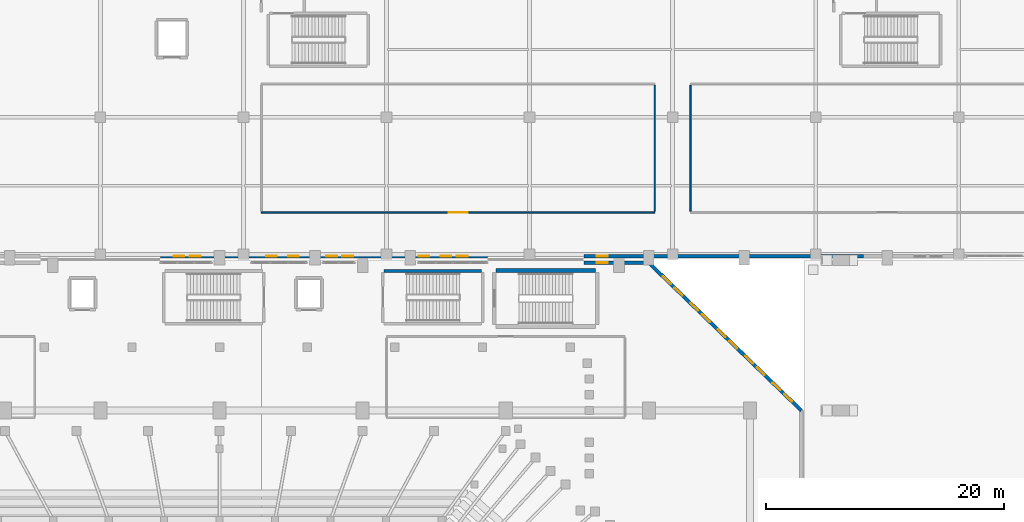
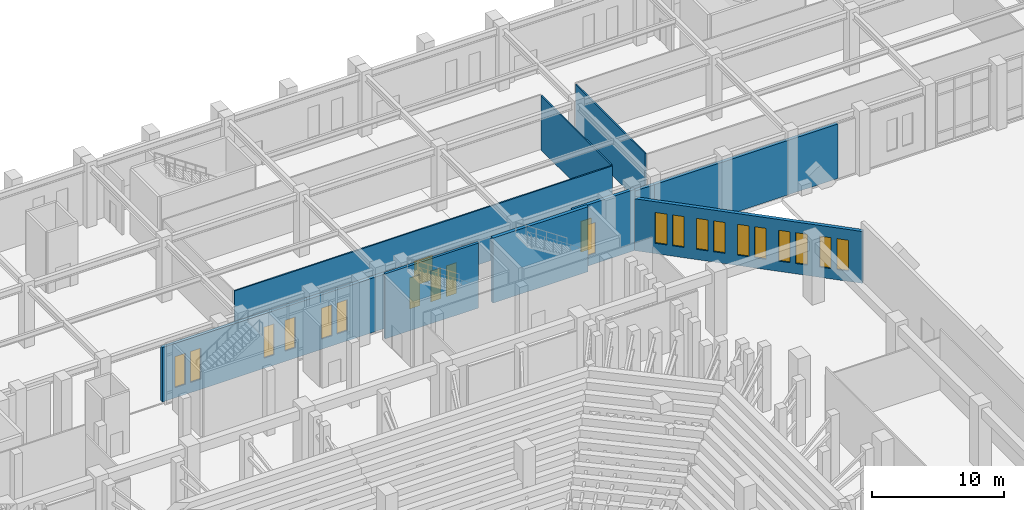
# One storey, part 114 of 143: 21 windows, 10 walls, 1 door, 22 openings.
"""IFC4 building model written with IfcOpenShell, lengths in metres."""

from ifc_helpers import new_model, si_unit, derived_unit, direction, frame, frame_2d, origin, place, context, subcontext, project, spatial, rectangle, extrude, material, layer, layer_set, type_object, element, fill, save


model = new_model("IFC4")

# Units and contexts
model_context = context("Model", 3, precision=1e-05, world=origin(), true_north=direction((0.0, 1.0)))
body_context = subcontext(model_context, "Body", "Model", "MODEL_VIEW")
ifc_project = project(units=[si_unit("LENGTHUNIT", "METRE"), si_unit("AREAUNIT", "SQUARE_METRE"), si_unit("VOLUMEUNIT", "CUBIC_METRE"), si_unit("PLANEANGLEUNIT", "RADIAN"), si_unit("MASSUNIT", "GRAM", prefix="KILO"), derived_unit("THERMALTRANSMITTANCEUNIT", [(si_unit("MASSUNIT", "GRAM", prefix="KILO"), 1), (si_unit("TIMEUNIT", "SECOND"), -3), (si_unit("THERMODYNAMICTEMPERATUREUNIT", "KELVIN"), -1)])], contexts=[model_context])

# Site, building, storey
site_placement = place(None, origin())
site = spatial("IfcSite", under=ifc_project, at=site_placement, CompositionType="ELEMENT")
building_placement = place(site_placement, origin())
building = spatial("IfcBuilding", under=site, at=building_placement, Name="Valcora Ridge Arena", CompositionType="ELEMENT")
storey_placement = place(building_placement, origin())
storey = spatial("IfcBuildingStorey", under=building, at=storey_placement, Name="L00", CompositionType="ELEMENT", Elevation=0.0)

# Wall, openings, windows
ifc_material_1 = material(Name="Bush-hammered Andean travertine on concrete backup C40/50", Category="masonry")
ifc_layer_1 = layer(ifc_material_1, 0.280029296875, Name="Bush-hammered Andean travertine on concrete backup C40/50")
ifc_layer_set_1 = layer_set([ifc_layer_1], Name="Bush-hammered Andean travertine on concrete backup C40/50")
wall_type_1 = type_object("IfcWallType", Name="TY-WALL-EW-TRV-28-50", PredefinedType="STANDARD", material=ifc_layer_set_1)
wall_1_placement = place(storey_placement, frame((53.050048828125, 108.550048828125, 0.0), z_axis=(0.0, 0.0, 1.0), x_axis=(1.0, 0.0, 0.0)))
wall_1 = element("IfcWall", 1, at=wall_1_placement, inside=storey, type_object=wall_type_1, Name="EW-TRV-28-50 WAL-EW-0130", PredefinedType="STANDARD", context=body_context, shape_type="SweptSolid", body=[
    extrude(rectangle(XDim=27.39990234375, YDim=0.280029296875, at=frame_2d((13.699951171875, 0.0))), origin(), (0.0, 0.0, 1.0), 5.028076171875),
])
opening_1_placement = place(wall_1_placement, frame((1.10009765625, 0.0, 0.949951171875)))
opening_1 = element("IfcOpeningElement", 2, at=opening_1_placement, cuts=wall_1, Name="Opening W-GLAN-90X285", PredefinedType="OPENING", context=body_context, shape_type="SweptSolid", body=[
    extrude(rectangle(XDim=0.89990234375, YDim=2.85009765625, at=frame_2d((0.449951171875, 1.425048828125))), frame((0.0, 0.14990234375, 0.0), z_axis=(0.0, -1.0, 0.0), x_axis=(1.0, 0.0, 0.0)), (0.0, 0.0, 1.0), 0.300048828125),
])
opening_2_placement = place(wall_1_placement, frame((2.449951171875, 0.0, 0.949951171875)))
opening_2 = element("IfcOpeningElement", 3, at=opening_2_placement, cuts=wall_1, Name="Opening W-GLAN-90X285", PredefinedType="OPENING", context=body_context, shape_type="SweptSolid", body=[
    extrude(rectangle(XDim=0.89990234375, YDim=2.85009765625, at=frame_2d((0.449951171875, 1.425048828125))), frame((0.0, 0.14990234375, 0.0), z_axis=(0.0, -1.0, 0.0), x_axis=(1.0, 0.0, 0.0)), (0.0, 0.0, 1.0), 0.300048828125),
])
opening_3_placement = place(wall_1_placement, frame((8.85009765625, 0.0, 0.949951171875)))
opening_3 = element("IfcOpeningElement", 4, at=opening_3_placement, cuts=wall_1, Name="Opening W-GLAN-90X285", PredefinedType="OPENING", context=body_context, shape_type="SweptSolid", body=[
    extrude(rectangle(XDim=0.89990234375, YDim=2.85009765625, at=frame_2d((0.449951171875, 1.425048828125))), frame((0.0, 0.14990234375, 0.0), z_axis=(0.0, -1.0, 0.0), x_axis=(1.0, 0.0, 0.0)), (0.0, 0.0, 1.0), 0.300048828125),
])
opening_4_placement = place(wall_1_placement, frame((10.699951171875, 0.0, 0.949951171875)))
opening_4 = element("IfcOpeningElement", 5, at=opening_4_placement, cuts=wall_1, Name="Opening W-GLAN-90X285", PredefinedType="OPENING", context=body_context, shape_type="SweptSolid", body=[
    extrude(rectangle(XDim=0.89990234375, YDim=2.85009765625, at=frame_2d((0.449951171875, 1.425048828125))), frame((0.0, 0.14990234375, 0.0), z_axis=(0.0, -1.0, 0.0), x_axis=(1.0, 0.0, 0.0)), (0.0, 0.0, 1.0), 0.300048828125),
])
opening_5_placement = place(wall_1_placement, frame((13.89990234375, 0.0, 0.949951171875)))
opening_5 = element("IfcOpeningElement", 6, at=opening_5_placement, cuts=wall_1, Name="Opening W-GLAN-90X285", PredefinedType="OPENING", context=body_context, shape_type="SweptSolid", body=[
    extrude(rectangle(XDim=0.89990234375, YDim=2.85009765625, at=frame_2d((0.449951171875, 1.425048828125))), frame((0.0, 0.14990234375, 0.0), z_axis=(0.0, -1.0, 0.0), x_axis=(1.0, 0.0, 0.0)), (0.0, 0.0, 1.0), 0.300048828125),
])
opening_6_placement = place(wall_1_placement, frame((15.25, 0.0, 0.949951171875)))
opening_6 = element("IfcOpeningElement", 7, at=opening_6_placement, cuts=wall_1, Name="Opening W-GLAN-90X285", PredefinedType="OPENING", context=body_context, shape_type="SweptSolid", body=[
    extrude(rectangle(XDim=0.89990234375, YDim=2.85009765625, at=frame_2d((0.449951171875, 1.425048828125))), frame((0.0, 0.14990234375, 0.0), z_axis=(0.0, -1.0, 0.0), x_axis=(1.0, 0.0, 0.0)), (0.0, 0.0, 1.0), 0.300048828125),
])
opening_7_placement = place(wall_1_placement, frame((21.64990234375, 0.0, 0.949951171875)))
opening_7 = element("IfcOpeningElement", 8, at=opening_7_placement, cuts=wall_1, Name="Opening W-GLAN-90X285", PredefinedType="OPENING", context=body_context, shape_type="SweptSolid", body=[
    extrude(rectangle(XDim=0.89990234375, YDim=2.85009765625, at=frame_2d((0.449951171875, 1.425048828125))), frame((0.0, 0.14990234375, 0.0), z_axis=(0.0, -1.0, 0.0), x_axis=(1.0, 0.0, 0.0)), (0.0, 0.0, 1.0), 0.300048828125),
])
opening_8_placement = place(wall_1_placement, frame((23.5, 0.0, 0.949951171875)))
opening_8 = element("IfcOpeningElement", 9, at=opening_8_placement, cuts=wall_1, Name="Opening W-GLAN-90X285", PredefinedType="OPENING", context=body_context, shape_type="SweptSolid", body=[
    extrude(rectangle(XDim=0.89990234375, YDim=2.85009765625, at=frame_2d((0.449951171875, 1.425048828125))), frame((0.0, 0.14990234375, 0.0), z_axis=(0.0, -1.0, 0.0), x_axis=(1.0, 0.0, 0.0)), (0.0, 0.0, 1.0), 0.300048828125),
])
opening_9_placement = place(wall_1_placement, frame((24.85009765625, 0.0, 0.949951171875)))
opening_9 = element("IfcOpeningElement", 10, at=opening_9_placement, cuts=wall_1, Name="Opening W-GLAN-90X285", PredefinedType="OPENING", context=body_context, shape_type="SweptSolid", body=[
    extrude(rectangle(XDim=0.89990234375, YDim=2.85009765625, at=frame_2d((0.449951171875, 1.425048828125))), frame((0.0, 0.14990234375, 0.0), z_axis=(0.0, -1.0, 0.0), x_axis=(1.0, 0.0, 0.0)), (0.0, 0.0, 1.0), 0.300048828125),
])
ifc_material_2 = material(Name="Low-iron solar-control double glazing SHGC 0.28", Category="glass")
window_type = type_object("IfcWindowType", Name="TY-WINDOW-W-GLAN-90X285", PartitioningType="DOUBLE_PANEL_VERTICAL", PredefinedType="WINDOW", material=ifc_material_2)
window_1_placement = place(opening_1_placement, origin())
window_1 = element("IfcWindow", 11, at=window_1_placement, inside=storey, type_object=window_type, Name="W-GLAN-90X285 WIN-EX-0386", OverallHeight=2.85009765625, OverallWidth=0.89990234375, PartitioningType="DOUBLE_PANEL_VERTICAL", PredefinedType="WINDOW", context=body_context, shape_type="SweptSolid", body=[
    extrude(rectangle(XDim=0.89990234375, YDim=2.85009765625, at=frame_2d((0.449951171875, 1.425048828125))), frame((0.0, 0.030029296875, 0.0), z_axis=(0.0, -1.0, 0.0), x_axis=(1.0, 0.0, 0.0)), (0.0, 0.0, 1.0), 0.06005859375),
])
fill(opening_1, window_1)
window_2_placement = place(opening_2_placement, origin())
window_2 = element("IfcWindow", 12, at=window_2_placement, inside=storey, type_object=window_type, Name="W-GLAN-90X285 WIN-EX-0387", OverallHeight=2.85009765625, OverallWidth=0.89990234375, PartitioningType="DOUBLE_PANEL_VERTICAL", PredefinedType="WINDOW", context=body_context, shape_type="SweptSolid", body=[
    extrude(rectangle(XDim=0.89990234375, YDim=2.85009765625, at=frame_2d((0.449951171875, 1.425048828125))), frame((0.0, 0.030029296875, 0.0), z_axis=(0.0, -1.0, 0.0), x_axis=(1.0, 0.0, 0.0)), (0.0, 0.0, 1.0), 0.06005859375),
])
fill(opening_2, window_2)
window_3_placement = place(opening_3_placement, origin())
window_3 = element("IfcWindow", 13, at=window_3_placement, inside=storey, type_object=window_type, Name="W-GLAN-90X285 WIN-EX-0388", OverallHeight=2.85009765625, OverallWidth=0.89990234375, PartitioningType="DOUBLE_PANEL_VERTICAL", PredefinedType="WINDOW", context=body_context, shape_type="SweptSolid", body=[
    extrude(rectangle(XDim=0.89990234375, YDim=2.85009765625, at=frame_2d((0.449951171875, 1.425048828125))), frame((0.0, 0.030029296875, 0.0), z_axis=(0.0, -1.0, 0.0), x_axis=(1.0, 0.0, 0.0)), (0.0, 0.0, 1.0), 0.06005859375),
])
fill(opening_3, window_3)
window_4_placement = place(opening_4_placement, origin())
window_4 = element("IfcWindow", 14, at=window_4_placement, inside=storey, type_object=window_type, Name="W-GLAN-90X285 WIN-EX-0389", OverallHeight=2.85009765625, OverallWidth=0.89990234375, PartitioningType="DOUBLE_PANEL_VERTICAL", PredefinedType="WINDOW", context=body_context, shape_type="SweptSolid", body=[
    extrude(rectangle(XDim=0.89990234375, YDim=2.85009765625, at=frame_2d((0.449951171875, 1.425048828125))), frame((0.0, 0.030029296875, 0.0), z_axis=(0.0, -1.0, 0.0), x_axis=(1.0, 0.0, 0.0)), (0.0, 0.0, 1.0), 0.06005859375),
])
fill(opening_4, window_4)
window_5_placement = place(opening_5_placement, origin())
window_5 = element("IfcWindow", 15, at=window_5_placement, inside=storey, type_object=window_type, Name="W-GLAN-90X285 WIN-EX-0390", OverallHeight=2.85009765625, OverallWidth=0.89990234375, PartitioningType="DOUBLE_PANEL_VERTICAL", PredefinedType="WINDOW", context=body_context, shape_type="SweptSolid", body=[
    extrude(rectangle(XDim=0.89990234375, YDim=2.85009765625, at=frame_2d((0.449951171875, 1.425048828125))), frame((0.0, 0.030029296875, 0.0), z_axis=(0.0, -1.0, 0.0), x_axis=(1.0, 0.0, 0.0)), (0.0, 0.0, 1.0), 0.06005859375),
])
fill(opening_5, window_5)
window_6_placement = place(opening_6_placement, origin())
window_6 = element("IfcWindow", 16, at=window_6_placement, inside=storey, type_object=window_type, Name="W-GLAN-90X285 WIN-EX-0391", OverallHeight=2.85009765625, OverallWidth=0.89990234375, PartitioningType="DOUBLE_PANEL_VERTICAL", PredefinedType="WINDOW", context=body_context, shape_type="SweptSolid", body=[
    extrude(rectangle(XDim=0.89990234375, YDim=2.85009765625, at=frame_2d((0.449951171875, 1.425048828125))), frame((0.0, 0.030029296875, 0.0), z_axis=(0.0, -1.0, 0.0), x_axis=(1.0, 0.0, 0.0)), (0.0, 0.0, 1.0), 0.06005859375),
])
fill(opening_6, window_6)
window_7_placement = place(opening_7_placement, origin())
window_7 = element("IfcWindow", 17, at=window_7_placement, inside=storey, type_object=window_type, Name="W-GLAN-90X285 WIN-EX-0392", OverallHeight=2.85009765625, OverallWidth=0.89990234375, PartitioningType="DOUBLE_PANEL_VERTICAL", PredefinedType="WINDOW", context=body_context, shape_type="SweptSolid", body=[
    extrude(rectangle(XDim=0.89990234375, YDim=2.85009765625, at=frame_2d((0.449951171875, 1.425048828125))), frame((0.0, 0.030029296875, 0.0), z_axis=(0.0, -1.0, 0.0), x_axis=(1.0, 0.0, 0.0)), (0.0, 0.0, 1.0), 0.06005859375),
])
fill(opening_7, window_7)
window_8_placement = place(opening_8_placement, origin())
window_8 = element("IfcWindow", 18, at=window_8_placement, inside=storey, type_object=window_type, Name="W-GLAN-90X285 WIN-EX-0393", OverallHeight=2.85009765625, OverallWidth=0.89990234375, PartitioningType="DOUBLE_PANEL_VERTICAL", PredefinedType="WINDOW", context=body_context, shape_type="SweptSolid", body=[
    extrude(rectangle(XDim=0.89990234375, YDim=2.85009765625, at=frame_2d((0.449951171875, 1.425048828125))), frame((0.0, 0.030029296875, 0.0), z_axis=(0.0, -1.0, 0.0), x_axis=(1.0, 0.0, 0.0)), (0.0, 0.0, 1.0), 0.06005859375),
])
fill(opening_8, window_8)
window_9_placement = place(opening_9_placement, origin())
window_9 = element("IfcWindow", 19, at=window_9_placement, inside=storey, type_object=window_type, Name="W-GLAN-90X285 WIN-EX-0394", OverallHeight=2.85009765625, OverallWidth=0.89990234375, PartitioningType="DOUBLE_PANEL_VERTICAL", PredefinedType="WINDOW", context=body_context, shape_type="SweptSolid", body=[
    extrude(rectangle(XDim=0.89990234375, YDim=2.85009765625, at=frame_2d((0.449951171875, 1.425048828125))), frame((0.0, 0.030029296875, 0.0), z_axis=(0.0, -1.0, 0.0), x_axis=(1.0, 0.0, 0.0)), (0.0, 0.0, 1.0), 0.06005859375),
])
fill(opening_9, window_9)

# Wall, opening, window
wall_2_placement = place(storey_placement, frame((88.550048828125, 108.550048828125, 0.0), z_axis=(0.0, 0.0, 1.0), x_axis=(1.0, 0.0, 0.0)))
wall_2 = element("IfcWall", 20, at=wall_2_placement, inside=storey, type_object=wall_type_1, Name="EW-TRV-28-50 WAL-EW-0131", PredefinedType="STANDARD", context=body_context, shape_type="SweptSolid", body=[
    extrude(rectangle(XDim=7.449951171875, YDim=0.280029296875, at=frame_2d((3.72509765625, 0.0))), origin(), (0.0, 0.0, 1.0), 5.028076171875),
])
opening_10_placement = place(wall_2_placement, frame((1.10009765625, 0.0, 0.949951171875)))
opening_10 = element("IfcOpeningElement", 21, at=opening_10_placement, cuts=wall_2, Name="Opening W-GLAN-90X285", PredefinedType="OPENING", context=body_context, shape_type="SweptSolid", body=[
    extrude(rectangle(XDim=0.89990234375, YDim=2.85009765625, at=frame_2d((0.449951171875, 1.425048828125))), frame((0.0, 0.14990234375, 0.0), z_axis=(0.0, -1.0, 0.0), x_axis=(1.0, 0.0, 0.0)), (0.0, 0.0, 1.0), 0.300048828125),
])
window_10_placement = place(opening_10_placement, origin())
window_10 = element("IfcWindow", 22, at=window_10_placement, inside=storey, type_object=window_type, Name="W-GLAN-90X285 WIN-EX-0395", OverallHeight=2.85009765625, OverallWidth=0.89990234375, PartitioningType="DOUBLE_PANEL_VERTICAL", PredefinedType="WINDOW", context=body_context, shape_type="SweptSolid", body=[
    extrude(rectangle(XDim=0.89990234375, YDim=2.85009765625, at=frame_2d((0.449951171875, 1.425048828125))), frame((0.0, 0.030029296875, 0.0), z_axis=(0.0, -1.0, 0.0), x_axis=(1.0, 0.0, 0.0)), (0.0, 0.0, 1.0), 0.06005859375),
])
fill(opening_10, window_10)

# Wall
wall_3_placement = place(storey_placement, frame((96.0, 108.550048828125, 0.0), z_axis=(0.0, 0.0, 1.0), x_axis=(1.0, 0.0, 0.0)))
element("IfcWall", 23, at=wall_3_placement, inside=storey, type_object=wall_type_1, Name="EW-TRV-28-50 WAL-EW-0132", PredefinedType="STANDARD", context=body_context, shape_type="SweptSolid", body=[
    extrude(rectangle(XDim=16.0, YDim=0.280029296875, at=frame_2d((8.0, 0.0))), origin(), (0.0, 0.0, 1.0), 5.028076171875),
])

# Wall, opening, window
ifc_layer_2 = layer(ifc_material_1, 0.280029296875, Name="Bush-hammered Andean travertine on concrete backup C40/50")
ifc_layer_set_2 = layer_set([ifc_layer_2], Name="Bush-hammered Andean travertine on concrete backup C40/50")
wall_type_2 = type_object("IfcWallType", Name="TY-WALL-EW-TRV-28-56", PredefinedType="STANDARD", material=ifc_layer_set_2)
wall_4_placement = place(storey_placement, frame((88.550048828125, 108.0, 0.0), z_axis=(0.0, 0.0, 1.0), x_axis=(1.0, 0.0, 0.0)))
wall_4 = element("IfcWall", 24, at=wall_4_placement, inside=storey, type_object=wall_type_2, Name="EW-TRV-28-56 WAL-EW-0033", PredefinedType="STANDARD", context=body_context, shape_type="SweptSolid", body=[
    extrude(rectangle(XDim=5.449951171875, YDim=0.280029296875, at=frame_2d((2.72509765625, 0.0))), origin(), (0.0, 0.0, 1.0), 5.639892578125),
])
opening_11_placement = place(wall_4_placement, frame((1.10009765625, 0.0, 0.949951171875)))
opening_11 = element("IfcOpeningElement", 25, at=opening_11_placement, cuts=wall_4, Name="Opening W-GLAN-90X285", PredefinedType="OPENING", context=body_context, shape_type="SweptSolid", body=[
    extrude(rectangle(XDim=0.89990234375, YDim=2.85009765625, at=frame_2d((0.449951171875, 1.425048828125))), frame((0.0, 0.14990234375, 0.0), z_axis=(0.0, -1.0, 0.0), x_axis=(1.0, 0.0, 0.0)), (0.0, 0.0, 1.0), 0.300048828125),
])
window_11_placement = place(opening_11_placement, origin())
window_11 = element("IfcWindow", 26, at=window_11_placement, inside=storey, type_object=window_type, Name="W-GLAN-90X285 WIN-EX-0070", OverallHeight=2.85009765625, OverallWidth=0.89990234375, PartitioningType="DOUBLE_PANEL_VERTICAL", PredefinedType="WINDOW", context=body_context, shape_type="SweptSolid", body=[
    extrude(rectangle(XDim=0.89990234375, YDim=2.85009765625, at=frame_2d((0.449951171875, 1.425048828125))), frame((0.0, 0.030029296875, 0.0), z_axis=(0.0, -1.0, 0.0), x_axis=(1.0, 0.0, 0.0)), (0.0, 0.0, 1.0), 0.06005859375),
])
fill(opening_11, window_11)

# Wall, openings, windows
ifc_layer_3 = layer(ifc_material_1, 0.300048828125, Name="Bush-hammered Andean travertine on concrete backup C40/50")
ifc_layer_set_3 = layer_set([ifc_layer_3], Name="Bush-hammered Andean travertine on concrete backup C40/50")
wall_type_3 = type_object("IfcWallType", Name="TY-WALL-EW-TRV-30-48", PredefinedType="STANDARD", material=ifc_layer_set_3)
wall_5_placement = place(storey_placement, frame((106.800048828125, 95.60009765625, 0.0), z_axis=(0.0, 0.0, 1.0), x_axis=(-0.718244287729, 0.695791019736, 0.0)))
wall_5 = element("IfcWall", 27, at=wall_5_placement, inside=storey, type_object=wall_type_3, Name="EW-TRV-30-48 WAL-EW-0037", PredefinedType="STANDARD", context=body_context, shape_type="SweptSolid", body=[
    extrude(rectangle(XDim=17.8212890625, YDim=0.300048828125, at=frame_2d((8.91064453125, 0.0))), origin(), (0.0, 0.0, 1.0), 4.7900390625),
])
opening_12_placement = place(wall_5_placement, frame((1.10009765625, 0.0, 0.949951171875)))
opening_12 = element("IfcOpeningElement", 28, at=opening_12_placement, cuts=wall_5, Name="Opening W-GLAN-90X285", PredefinedType="OPENING", context=body_context, shape_type="SweptSolid", body=[
    extrude(rectangle(XDim=0.89990234375, YDim=2.85009765625, at=frame_2d((0.449951171875, 1.425048828125))), frame((0.0, 0.159912109375, 0.0), z_axis=(0.0, -1.0, 0.0), x_axis=(1.0, 0.0, 0.0)), (0.0, 0.0, 1.0), 0.320068359375),
])
opening_13_placement = place(wall_5_placement, frame((2.449951171875, 0.0, 0.949951171875)))
opening_13 = element("IfcOpeningElement", 29, at=opening_13_placement, cuts=wall_5, Name="Opening W-GLAN-90X285", PredefinedType="OPENING", context=body_context, shape_type="SweptSolid", body=[
    extrude(rectangle(XDim=0.89990234375, YDim=2.85009765625, at=frame_2d((0.449951171875, 1.425048828125))), frame((0.0, 0.159912109375, 0.0), z_axis=(0.0, -1.0, 0.0), x_axis=(1.0, 0.0, 0.0)), (0.0, 0.0, 1.0), 0.320068359375),
])
opening_14_placement = place(wall_5_placement, frame((4.300048828125, 0.0, 0.949951171875)))
opening_14 = element("IfcOpeningElement", 30, at=opening_14_placement, cuts=wall_5, Name="Opening W-GLAN-90X285", PredefinedType="OPENING", context=body_context, shape_type="SweptSolid", body=[
    extrude(rectangle(XDim=0.89990234375, YDim=2.85009765625, at=frame_2d((0.449951171875, 1.425048828125))), frame((0.0, 0.159912109375, 0.0), z_axis=(0.0, -1.0, 0.0), x_axis=(1.0, 0.0, 0.0)), (0.0, 0.0, 1.0), 0.320068359375),
])
opening_15_placement = place(wall_5_placement, frame((5.64990234375, 0.0, 0.949951171875)))
opening_15 = element("IfcOpeningElement", 31, at=opening_15_placement, cuts=wall_5, Name="Opening W-GLAN-90X285", PredefinedType="OPENING", context=body_context, shape_type="SweptSolid", body=[
    extrude(rectangle(XDim=0.89990234375, YDim=2.85009765625, at=frame_2d((0.449951171875, 1.425048828125))), frame((0.0, 0.159912109375, 0.0), z_axis=(0.0, -1.0, 0.0), x_axis=(1.0, 0.0, 0.0)), (0.0, 0.0, 1.0), 0.320068359375),
])
opening_16_placement = place(wall_5_placement, frame((7.5, 0.0, 0.949951171875)))
opening_16 = element("IfcOpeningElement", 32, at=opening_16_placement, cuts=wall_5, Name="Opening W-GLAN-90X285", PredefinedType="OPENING", context=body_context, shape_type="SweptSolid", body=[
    extrude(rectangle(XDim=0.89990234375, YDim=2.85009765625, at=frame_2d((0.449951171875, 1.425048828125))), frame((0.0, 0.159912109375, 0.0), z_axis=(0.0, -1.0, 0.0), x_axis=(1.0, 0.0, 0.0)), (0.0, 0.0, 1.0), 0.320068359375),
])
opening_17_placement = place(wall_5_placement, frame((8.85009765625, 0.0, 0.949951171875)))
opening_17 = element("IfcOpeningElement", 33, at=opening_17_placement, cuts=wall_5, Name="Opening W-GLAN-90X285", PredefinedType="OPENING", context=body_context, shape_type="SweptSolid", body=[
    extrude(rectangle(XDim=0.89990234375, YDim=2.85009765625, at=frame_2d((0.449951171875, 1.425048828125))), frame((0.0, 0.159912109375, 0.0), z_axis=(0.0, -1.0, 0.0), x_axis=(1.0, 0.0, 0.0)), (0.0, 0.0, 1.0), 0.320068359375),
])
opening_18_placement = place(wall_5_placement, frame((10.699951171875, 0.0, 0.949951171875)))
opening_18 = element("IfcOpeningElement", 34, at=opening_18_placement, cuts=wall_5, Name="Opening W-GLAN-90X285", PredefinedType="OPENING", context=body_context, shape_type="SweptSolid", body=[
    extrude(rectangle(XDim=0.89990234375, YDim=2.85009765625, at=frame_2d((0.449951171875, 1.425048828125))), frame((0.0, 0.159912109375, 0.0), z_axis=(0.0, -1.0, 0.0), x_axis=(1.0, 0.0, 0.0)), (0.0, 0.0, 1.0), 0.320068359375),
])
opening_19_placement = place(wall_5_placement, frame((12.050048828125, 0.0, 0.949951171875)))
opening_19 = element("IfcOpeningElement", 35, at=opening_19_placement, cuts=wall_5, Name="Opening W-GLAN-90X285", PredefinedType="OPENING", context=body_context, shape_type="SweptSolid", body=[
    extrude(rectangle(XDim=0.89990234375, YDim=2.85009765625, at=frame_2d((0.449951171875, 1.425048828125))), frame((0.0, 0.159912109375, 0.0), z_axis=(0.0, -1.0, 0.0), x_axis=(1.0, 0.0, 0.0)), (0.0, 0.0, 1.0), 0.320068359375),
])
opening_20_placement = place(wall_5_placement, frame((13.89990234375, 0.0, 0.949951171875)))
opening_20 = element("IfcOpeningElement", 36, at=opening_20_placement, cuts=wall_5, Name="Opening W-GLAN-90X285", PredefinedType="OPENING", context=body_context, shape_type="SweptSolid", body=[
    extrude(rectangle(XDim=0.89990234375, YDim=2.85009765625, at=frame_2d((0.449951171875, 1.425048828125))), frame((0.0, 0.159912109375, 0.0), z_axis=(0.0, -1.0, 0.0), x_axis=(1.0, 0.0, 0.0)), (0.0, 0.0, 1.0), 0.320068359375),
])
opening_21_placement = place(wall_5_placement, frame((15.25, 0.0, 0.949951171875)))
opening_21 = element("IfcOpeningElement", 37, at=opening_21_placement, cuts=wall_5, Name="Opening W-GLAN-90X285", PredefinedType="OPENING", context=body_context, shape_type="SweptSolid", body=[
    extrude(rectangle(XDim=0.89990234375, YDim=2.85009765625, at=frame_2d((0.449951171875, 1.425048828125))), frame((0.0, 0.159912109375, 0.0), z_axis=(0.0, -1.0, 0.0), x_axis=(1.0, 0.0, 0.0)), (0.0, 0.0, 1.0), 0.320068359375),
])
window_12_placement = place(opening_12_placement, origin())
window_12 = element("IfcWindow", 38, at=window_12_placement, inside=storey, type_object=window_type, Name="W-GLAN-90X285 WIN-EX-0073", OverallHeight=2.85009765625, OverallWidth=0.89990234375, PartitioningType="DOUBLE_PANEL_VERTICAL", PredefinedType="WINDOW", context=body_context, shape_type="SweptSolid", body=[
    extrude(rectangle(XDim=0.89990234375, YDim=2.85009765625, at=frame_2d((0.449951171875, 1.425048828125))), frame((0.0, 0.030029296875, 0.0), z_axis=(0.0, -1.0, 0.0), x_axis=(1.0, 0.0, 0.0)), (0.0, 0.0, 1.0), 0.06005859375),
])
fill(opening_12, window_12)
window_13_placement = place(opening_13_placement, origin())
window_13 = element("IfcWindow", 39, at=window_13_placement, inside=storey, type_object=window_type, Name="W-GLAN-90X285 WIN-EX-0074", OverallHeight=2.85009765625, OverallWidth=0.89990234375, PartitioningType="DOUBLE_PANEL_VERTICAL", PredefinedType="WINDOW", context=body_context, shape_type="SweptSolid", body=[
    extrude(rectangle(XDim=0.89990234375, YDim=2.85009765625, at=frame_2d((0.449951171875, 1.425048828125))), frame((0.0, 0.030029296875, 0.0), z_axis=(0.0, -1.0, 0.0), x_axis=(1.0, 0.0, 0.0)), (0.0, 0.0, 1.0), 0.06005859375),
])
fill(opening_13, window_13)
window_14_placement = place(opening_14_placement, origin())
window_14 = element("IfcWindow", 40, at=window_14_placement, inside=storey, type_object=window_type, Name="W-GLAN-90X285 WIN-EX-0075", OverallHeight=2.85009765625, OverallWidth=0.89990234375, PartitioningType="DOUBLE_PANEL_VERTICAL", PredefinedType="WINDOW", context=body_context, shape_type="SweptSolid", body=[
    extrude(rectangle(XDim=0.89990234375, YDim=2.85009765625, at=frame_2d((0.449951171875, 1.425048828125))), frame((0.0, 0.030029296875, 0.0), z_axis=(0.0, -1.0, 0.0), x_axis=(1.0, 0.0, 0.0)), (0.0, 0.0, 1.0), 0.06005859375),
])
fill(opening_14, window_14)
window_15_placement = place(opening_15_placement, origin())
window_15 = element("IfcWindow", 41, at=window_15_placement, inside=storey, type_object=window_type, Name="W-GLAN-90X285 WIN-EX-0076", OverallHeight=2.85009765625, OverallWidth=0.89990234375, PartitioningType="DOUBLE_PANEL_VERTICAL", PredefinedType="WINDOW", context=body_context, shape_type="SweptSolid", body=[
    extrude(rectangle(XDim=0.89990234375, YDim=2.85009765625, at=frame_2d((0.449951171875, 1.425048828125))), frame((0.0, 0.030029296875, 0.0), z_axis=(0.0, -1.0, 0.0), x_axis=(1.0, 0.0, 0.0)), (0.0, 0.0, 1.0), 0.06005859375),
])
fill(opening_15, window_15)
window_16_placement = place(opening_16_placement, origin())
window_16 = element("IfcWindow", 42, at=window_16_placement, inside=storey, type_object=window_type, Name="W-GLAN-90X285 WIN-EX-0077", OverallHeight=2.85009765625, OverallWidth=0.89990234375, PartitioningType="DOUBLE_PANEL_VERTICAL", PredefinedType="WINDOW", context=body_context, shape_type="SweptSolid", body=[
    extrude(rectangle(XDim=0.89990234375, YDim=2.85009765625, at=frame_2d((0.449951171875, 1.425048828125))), frame((0.0, 0.030029296875, 0.0), z_axis=(0.0, -1.0, 0.0), x_axis=(1.0, 0.0, 0.0)), (0.0, 0.0, 1.0), 0.06005859375),
])
fill(opening_16, window_16)
window_17_placement = place(opening_17_placement, origin())
window_17 = element("IfcWindow", 43, at=window_17_placement, inside=storey, type_object=window_type, Name="W-GLAN-90X285 WIN-EX-0078", OverallHeight=2.85009765625, OverallWidth=0.89990234375, PartitioningType="DOUBLE_PANEL_VERTICAL", PredefinedType="WINDOW", context=body_context, shape_type="SweptSolid", body=[
    extrude(rectangle(XDim=0.89990234375, YDim=2.85009765625, at=frame_2d((0.449951171875, 1.425048828125))), frame((0.0, 0.030029296875, 0.0), z_axis=(0.0, -1.0, 0.0), x_axis=(1.0, 0.0, 0.0)), (0.0, 0.0, 1.0), 0.06005859375),
])
fill(opening_17, window_17)
window_18_placement = place(opening_18_placement, origin())
window_18 = element("IfcWindow", 44, at=window_18_placement, inside=storey, type_object=window_type, Name="W-GLAN-90X285 WIN-EX-0079", OverallHeight=2.85009765625, OverallWidth=0.89990234375, PartitioningType="DOUBLE_PANEL_VERTICAL", PredefinedType="WINDOW", context=body_context, shape_type="SweptSolid", body=[
    extrude(rectangle(XDim=0.89990234375, YDim=2.85009765625, at=frame_2d((0.449951171875, 1.425048828125))), frame((0.0, 0.030029296875, 0.0), z_axis=(0.0, -1.0, 0.0), x_axis=(1.0, 0.0, 0.0)), (0.0, 0.0, 1.0), 0.06005859375),
])
fill(opening_18, window_18)
window_19_placement = place(opening_19_placement, origin())
window_19 = element("IfcWindow", 45, at=window_19_placement, inside=storey, type_object=window_type, Name="W-GLAN-90X285 WIN-EX-0080", OverallHeight=2.85009765625, OverallWidth=0.89990234375, PartitioningType="DOUBLE_PANEL_VERTICAL", PredefinedType="WINDOW", context=body_context, shape_type="SweptSolid", body=[
    extrude(rectangle(XDim=0.89990234375, YDim=2.85009765625, at=frame_2d((0.449951171875, 1.425048828125))), frame((0.0, 0.030029296875, 0.0), z_axis=(0.0, -1.0, 0.0), x_axis=(1.0, 0.0, 0.0)), (0.0, 0.0, 1.0), 0.06005859375),
])
fill(opening_19, window_19)
window_20_placement = place(opening_20_placement, origin())
window_20 = element("IfcWindow", 46, at=window_20_placement, inside=storey, type_object=window_type, Name="W-GLAN-90X285 WIN-EX-0081", OverallHeight=2.85009765625, OverallWidth=0.89990234375, PartitioningType="DOUBLE_PANEL_VERTICAL", PredefinedType="WINDOW", context=body_context, shape_type="SweptSolid", body=[
    extrude(rectangle(XDim=0.89990234375, YDim=2.85009765625, at=frame_2d((0.449951171875, 1.425048828125))), frame((0.0, 0.030029296875, 0.0), z_axis=(0.0, -1.0, 0.0), x_axis=(1.0, 0.0, 0.0)), (0.0, 0.0, 1.0), 0.06005859375),
])
fill(opening_20, window_20)
window_21_placement = place(opening_21_placement, origin())
window_21 = element("IfcWindow", 47, at=window_21_placement, inside=storey, type_object=window_type, Name="W-GLAN-90X285 WIN-EX-0082", OverallHeight=2.85009765625, OverallWidth=0.89990234375, PartitioningType="DOUBLE_PANEL_VERTICAL", PredefinedType="WINDOW", context=body_context, shape_type="SweptSolid", body=[
    extrude(rectangle(XDim=0.89990234375, YDim=2.85009765625, at=frame_2d((0.449951171875, 1.425048828125))), frame((0.0, 0.030029296875, 0.0), z_axis=(0.0, -1.0, 0.0), x_axis=(1.0, 0.0, 0.0)), (0.0, 0.0, 1.0), 0.06005859375),
])
fill(opening_21, window_21)

# Wall, opening, door
ifc_material_3 = material(Name="Acoustic metal-stud gypsum partition 120 mm")
ifc_layer_4 = layer(ifc_material_3, 0.1201171875, Name="Acoustic metal-stud gypsum partition 120 mm")
ifc_layer_set_4 = layer_set([ifc_layer_4], Name="Acoustic metal-stud gypsum partition 120 mm")
wall_type_4 = type_object("IfcWallType", Name="TY-WALL-IW-PART-120", PredefinedType="PARTITIONING", material=ifc_layer_set_4)
wall_6_placement = place(storey_placement, frame((61.5, 112.199951171875, 0.0), z_axis=(0.0, 0.0, 1.0), x_axis=(1.0, 0.0, 0.0)))
wall_6 = element("IfcWall", 48, at=wall_6_placement, inside=storey, type_object=wall_type_4, Name="IW-PART-120 WAL-IN-0273", PredefinedType="PARTITIONING", context=body_context, shape_type="SweptSolid", body=[
    extrude(rectangle(XDim=33.0, YDim=0.1201171875, at=frame_2d((16.5, 0.0))), origin(), (0.0, 0.0, 1.0), 5.028076171875),
])
opening_22_placement = place(wall_6_placement, frame((15.699951171875, 0.0, 0.0)))
opening_22 = element("IfcOpeningElement", 49, at=opening_22_placement, cuts=wall_6, Name="Opening D-PUB-1600", PredefinedType="OPENING", context=body_context, shape_type="SweptSolid", body=[
    extrude(rectangle(XDim=1.60009765625, YDim=2.25, at=frame_2d((0.800048828125, 1.125))), frame((0.0, 0.070068359375, 0.0), z_axis=(0.0, -1.0, 0.0), x_axis=(1.0, 0.0, 0.0)), (0.0, 0.0, 1.0), 0.14013671875),
])
ifc_material_4 = material(Name="Solid-core acoustic timber veneer door leaf", Category="wood")
door_type = type_object("IfcDoorType", Name="TY-DOOR-D-PUB-1600", OperationType="NOTDEFINED", PredefinedType="DOOR", material=ifc_material_4)
door_placement = place(opening_22_placement, origin())
door = element("IfcDoor", 50, at=door_placement, inside=storey, type_object=door_type, Name="D-PUB-1600 DOR-IN-0073", OperationType="DOUBLE_DOOR_SINGLE_SWING", OverallHeight=2.25, OverallWidth=1.60009765625, PredefinedType="DOOR", context=body_context, shape_type="SweptSolid", body=[
    extrude(rectangle(XDim=1.60009765625, YDim=2.25, at=frame_2d((0.800048828125, 1.125))), frame((0.0, 0.02490234375, 0.0), z_axis=(0.0, -1.0, 0.0), x_axis=(1.0, 0.0, 0.0)), (0.0, 0.0, 1.0), 0.050048828125),
])
fill(opening_22, door)

# Walls
for number, where, z_axis, x_axis, name in (
    (51, (94.5, 112.320068359375, 0.0), (0.0, 0.0, 1.0), (0.0, 1.0, 0.0), "IW-PART-120 WAL-IN-0276"),
    (52, (97.5, 112.320068359375, 0.0), (0.0, 0.0, 1.0), (0.0, 1.0, 0.0), "IW-PART-120 WAL-IN-0279"),
):
    element("IfcWall", number, at=place(storey_placement, frame(where, z_axis=z_axis, x_axis=x_axis)), inside=storey, type_object=wall_type_4, Name=name, PredefinedType="PARTITIONING", context=body_context, shape_type="SweptSolid", body=[
        extrude(rectangle(XDim=10.559814453125, YDim=0.1201171875, at=frame_2d((5.27978515625, 0.0))), origin(), (0.0, 0.0, 1.0), 5.028076171875),
    ])
ifc_material_5 = material(Name="Concrete C45/55", Category="concrete")
ifc_layer_5 = layer(ifc_material_5, 0.300048828125, Name="Concrete C45/55")
ifc_layer_set_5 = layer_set([ifc_layer_5], Name="Concrete C45/55")
wall_type_5 = type_object("IfcWallType", Name="TY-WALL-SW-C300-L", PredefinedType="SHEAR", material=ifc_layer_set_5)
wall_7_placement = place(storey_placement, frame((81.199951171875, 107.35009765625, 0.0), z_axis=(0.0, 0.0, 1.0), x_axis=(1.0, 0.0, 0.0)))
element("IfcWall", 53, at=wall_7_placement, inside=storey, type_object=wall_type_5, Name="SW-C300-L WAL-CR-0086", PredefinedType="SHEAR", context=body_context, shape_type="SweptSolid", body=[
    extrude(rectangle(XDim=8.320068359375, YDim=0.300048828125, at=frame_2d((4.16015625, 0.0))), origin(), (0.0, 0.0, 1.0), 6.0),
])
ifc_material_6 = material(Name="Fire-resisting reinforced concrete enclosure C40/50 200 mm", Category="concrete")
ifc_layer_6 = layer(ifc_material_6, 0.219970703125, Name="Fire-resisting reinforced concrete enclosure C40/50 200 mm")
ifc_layer_set_6 = layer_set([ifc_layer_6], Name="Fire-resisting reinforced concrete enclosure C40/50 200 mm")
wall_type_6 = type_object("IfcWallType", Name="TY-WALL-SW-ES-220", PredefinedType="SHEAR", material=ifc_layer_set_6)
wall_8_placement = place(storey_placement, frame((71.800048828125, 107.31005859375, 0.0), z_axis=(0.0, 0.0, 1.0), x_axis=(1.0, 0.0, 0.0)))
element("IfcWall", 54, at=wall_8_placement, inside=storey, type_object=wall_type_6, Name="SW-ES-220 WAL-ES-0078", PredefinedType="SHEAR", context=body_context, shape_type="SweptSolid", body=[
    extrude(rectangle(XDim=8.159912109375, YDim=0.219970703125, at=frame_2d((4.080078125, 0.0))), origin(), (0.0, 0.0, 1.0), 6.0),
])

save(model, "model.ifc")
